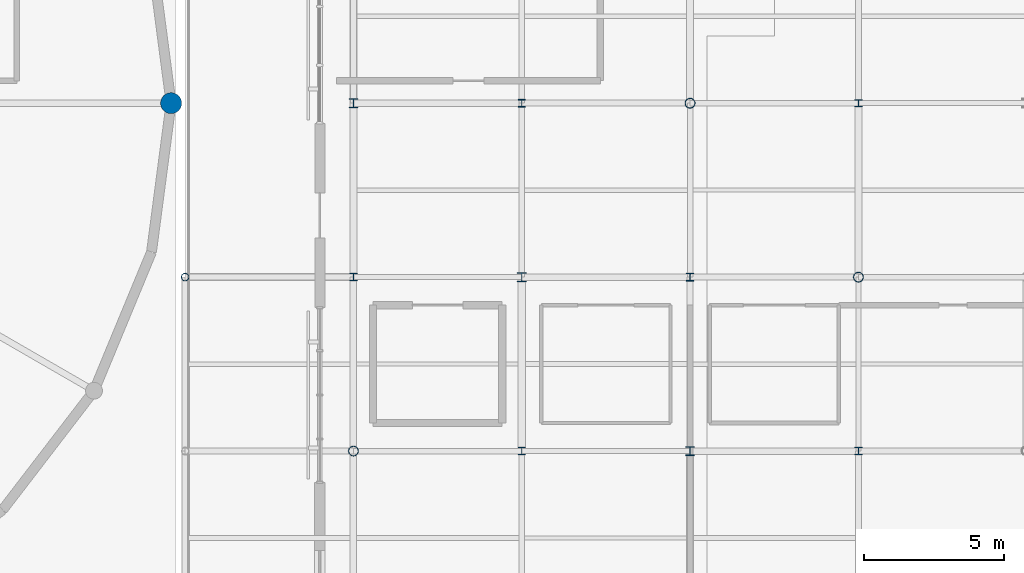
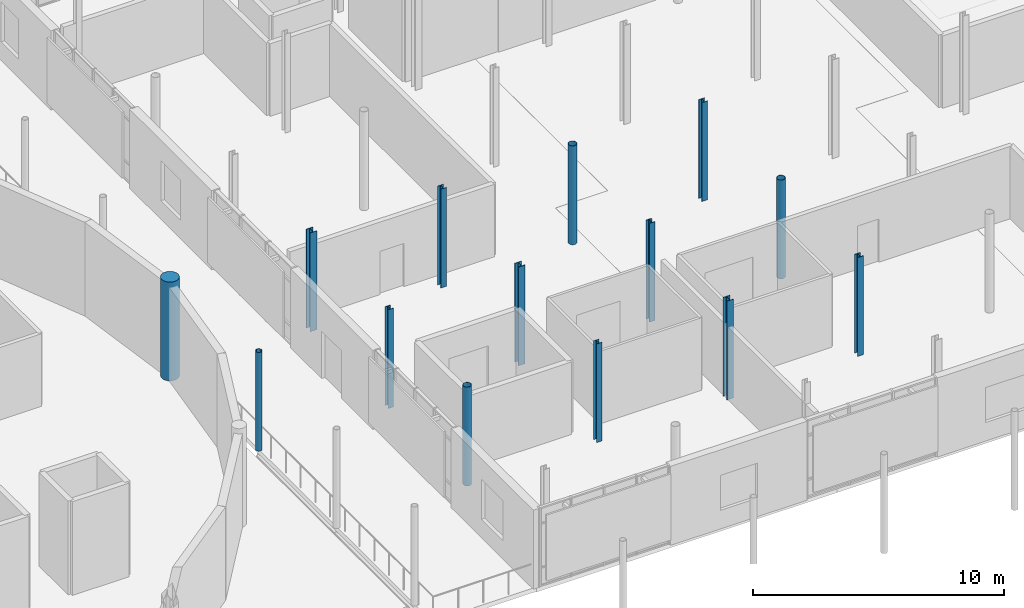
# One storey, part 5 of 84: 14 columns.
"""IFC4 building model written with IfcOpenShell, lengths in metres."""

from ifc_helpers import new_model, si_unit, direction, frame, origin, origin_2d, place, context, subcontext, project, spatial, circle, hollow_circle, i_section, extrude, material, material_profile, profile_set, type_object, element, save


model = new_model("IFC4")

# Units and contexts
model_context = context("Model", 3, precision=1e-05, world=origin(), true_north=direction((0.0, 1.0)))
body_context = subcontext(model_context, "Body", "Model", "MODEL_VIEW")
ifc_project = project(units=[si_unit("LENGTHUNIT", "METRE"), si_unit("AREAUNIT", "SQUARE_METRE"), si_unit("VOLUMEUNIT", "CUBIC_METRE"), si_unit("PLANEANGLEUNIT", "RADIAN"), si_unit("MASSUNIT", "GRAM", prefix="KILO")], contexts=[model_context])

# Site, building, storey
site_placement = place(None, origin())
site = spatial("IfcSite", under=ifc_project, at=site_placement, CompositionType="ELEMENT")
building_placement = place(site_placement, origin())
building = spatial("IfcBuilding", under=site, at=building_placement, Name="Mirzam Square Science Centre", CompositionType="ELEMENT")
storey_placement = place(building_placement, frame((0.0, 0.0, 10.800048828125)))
storey = spatial("IfcBuildingStorey", under=building, at=storey_placement, Name="L02", CompositionType="ELEMENT", Elevation=10.800048828125)

# Columns
ifc_material_1 = material(Name="Steel S355", Category="steel")
ifc_material_profile_1 = material_profile(ifc_material_1, hollow_circle(Radius=0.136474609375, WallThickness=0.010009765625, at=origin_2d()), Name="273.0x10.0CHS")
ifc_profile_set_1 = profile_set([ifc_material_profile_1], Name="Steel S355")
column_type_1 = type_object("IfcColumnType", Name="COL-CHS273", PredefinedType="COLUMN", material=ifc_profile_set_1)
column_1_placement = place(storey_placement, frame((102.0, 55.800048828125, 0.0), z_axis=(0.0, 0.0, 1.0), x_axis=(1.0, 0.0, 0.0)))
element("IfcColumn", 1, at=column_1_placement, inside=storey, type_object=column_type_1, Name="L02 column G18-10", PredefinedType="COLUMN", context=body_context, shape_type="SweptSolid", body=[
    extrude(hollow_circle(Radius=0.136474609375, WallThickness=0.010009765625, at=origin_2d()), origin(), (0.0, 0.0, 1.0), 4.800048828125),
])
ifc_material_profile_2 = material_profile(ifc_material_1, hollow_circle(Radius=0.177734375, WallThickness=0.012451171875, at=origin_2d()), Name="355.6x12.5CHS")
ifc_profile_set_2 = profile_set([ifc_material_profile_2], Name="Steel S355")
column_type_2 = type_object("IfcColumnType", Name="COL-CHS355", PredefinedType="COLUMN", material=ifc_profile_set_2)
for number, where, z_axis, x_axis, name in (
    (2, (108.0, 49.60009765625, 0.0), (0.0, 0.0, 1.0), (1.0, 0.0, 0.0), "L02 column G19-09"),
    (3, (120.0, 62.0, 0.0), (0.0, 0.0, 1.0), (1.0, 0.0, 0.0), "L02 column G21-11"),
    (4, (126.0, 55.800048828125, 0.0), (0.0, 0.0, 1.0), (1.0, 0.0, 0.0), "L02 column G22-10"),
):
    element("IfcColumn", number, at=place(storey_placement, frame(where, z_axis=z_axis, x_axis=x_axis)), inside=storey, type_object=column_type_2, Name=name, PredefinedType="COLUMN", context=body_context, shape_type="SweptSolid", body=[
        extrude(hollow_circle(Radius=0.177734375, WallThickness=0.012451171875, at=origin_2d()), origin(), (0.0, 0.0, 1.0), 4.800048828125),
    ])
ifc_material_profile_3 = material_profile(ifc_material_1, i_section(OverallWidth=0.25634765625, OverallDepth=0.26025390625, WebThickness=0.01025390625, FlangeThickness=0.017333984375, FilletRadius=0.0126953125, at=origin_2d()), Name="254x254x89UC")
ifc_profile_set_3 = profile_set([ifc_material_profile_3], Name="Steel S355")
column_type_3 = type_object("IfcColumnType", Name="COL-UC254A", PredefinedType="COLUMN", material=ifc_profile_set_3)
for number, where, z_axis, x_axis, name in (
    (5, (108.0, 55.800048828125, 0.0), (0.0, 0.0, 1.0), (1.0, 0.0, 0.0), "L02 column G19-10"),
    (6, (114.0, 49.60009765625, 0.0), (0.0, 0.0, 1.0), (1.0, 0.0, 0.0), "L02 column G20-09"),
    (7, (126.0, 62.0, 0.0), (0.0, 0.0, 1.0), (1.0, 0.0, 0.0), "L02 column G22-11"),
):
    element("IfcColumn", number, at=place(storey_placement, frame(where, z_axis=z_axis, x_axis=x_axis)), inside=storey, type_object=column_type_3, Name=name, PredefinedType="COLUMN", context=body_context, shape_type="SweptSolid", body=[
        extrude(i_section(OverallWidth=0.25634765625, OverallDepth=0.26025390625, WebThickness=0.01025390625, FlangeThickness=0.017333984375, FilletRadius=0.0126953125, at=origin_2d()), origin(), (0.0, 0.0, 1.0), 4.800048828125),
    ])
ifc_material_profile_4 = material_profile(ifc_material_1, i_section(OverallWidth=0.26123046875, OverallDepth=0.2763671875, WebThickness=0.015380859375, FlangeThickness=0.025390625, FilletRadius=0.0126953125, at=origin_2d()), Name="254x254x132UC")
ifc_profile_set_4 = profile_set([ifc_material_profile_4], Name="Steel S355")
column_type_4 = type_object("IfcColumnType", Name="COL-UC254B", PredefinedType="COLUMN", material=ifc_profile_set_4)
for number, where, z_axis, x_axis, name in (
    (8, (114.0, 62.0, 0.0), (0.0, 0.0, 1.0), (1.0, 0.0, 0.0), "L02 column G20-11"),
    (9, (120.0, 55.800048828125, 0.0), (0.0, 0.0, 1.0), (1.0, 0.0, 0.0), "L02 column G21-10"),
    (10, (126.0, 49.60009765625, 0.0), (0.0, 0.0, 1.0), (1.0, 0.0, 0.0), "L02 column G22-09"),
):
    element("IfcColumn", number, at=place(storey_placement, frame(where, z_axis=z_axis, x_axis=x_axis)), inside=storey, type_object=column_type_4, Name=name, PredefinedType="COLUMN", context=body_context, shape_type="SweptSolid", body=[
        extrude(i_section(OverallWidth=0.26123046875, OverallDepth=0.2763671875, WebThickness=0.015380859375, FlangeThickness=0.025390625, FilletRadius=0.0126953125, at=origin_2d()), origin(), (0.0, 0.0, 1.0), 4.800048828125),
    ])
ifc_material_profile_5 = material_profile(ifc_material_1, i_section(OverallWidth=0.30908203125, OverallDepth=0.320556640625, WebThickness=0.013916015625, FlangeThickness=0.021728515625, FilletRadius=0.01513671875, at=origin_2d()), Name="305x305x137UC")
ifc_profile_set_5 = profile_set([ifc_material_profile_5], Name="Steel S355")
column_type_5 = type_object("IfcColumnType", Name="COL-UC305A", PredefinedType="COLUMN", material=ifc_profile_set_5)
for number, where, z_axis, x_axis, name in (
    (11, (108.0, 62.0, 0.0), (0.0, 0.0, 1.0), (1.0, 0.0, 0.0), "L02 column G19-11"),
    (12, (114.0, 55.800048828125, 0.0), (0.0, 0.0, 1.0), (1.0, 0.0, 0.0), "L02 column G20-10"),
    (13, (120.0, 49.60009765625, 0.0), (0.0, 0.0, 1.0), (1.0, 0.0, 0.0), "L02 column G21-09"),
):
    element("IfcColumn", number, at=place(storey_placement, frame(where, z_axis=z_axis, x_axis=x_axis)), inside=storey, type_object=column_type_5, Name=name, PredefinedType="COLUMN", context=body_context, shape_type="SweptSolid", body=[
        extrude(i_section(OverallWidth=0.30908203125, OverallDepth=0.320556640625, WebThickness=0.013916015625, FlangeThickness=0.021728515625, FilletRadius=0.01513671875, at=origin_2d()), origin(), (0.0, 0.0, 1.0), 4.800048828125),
    ])
ifc_material_2 = material(Name="Concrete C45/55", Category="concrete")
ifc_material_profile_6 = material_profile(ifc_material_2, circle(Radius=0.375, at=origin_2d()), Name="RCD750")
ifc_profile_set_6 = profile_set([ifc_material_profile_6], Name="Concrete C45/55")
column_type_6 = type_object("IfcColumnType", Name="PIL-RCD750", PredefinedType="PILASTER", material=ifc_profile_set_6)
column_2_placement = place(storey_placement, frame((101.5, 62.0, 0.0), z_axis=(0.0, 0.0, 1.0), x_axis=(1.0, 0.0, 0.0)))
element("IfcColumn", 14, at=column_2_placement, inside=storey, type_object=column_type_6, Name="L02 drum pilaster 01", PredefinedType="PILASTER", context=body_context, shape_type="SweptSolid", body=[
    extrude(circle(Radius=0.375, at=origin_2d()), origin(), (0.0, 0.0, 1.0), 4.800048828125),
])

save(model, "model.ifc")
